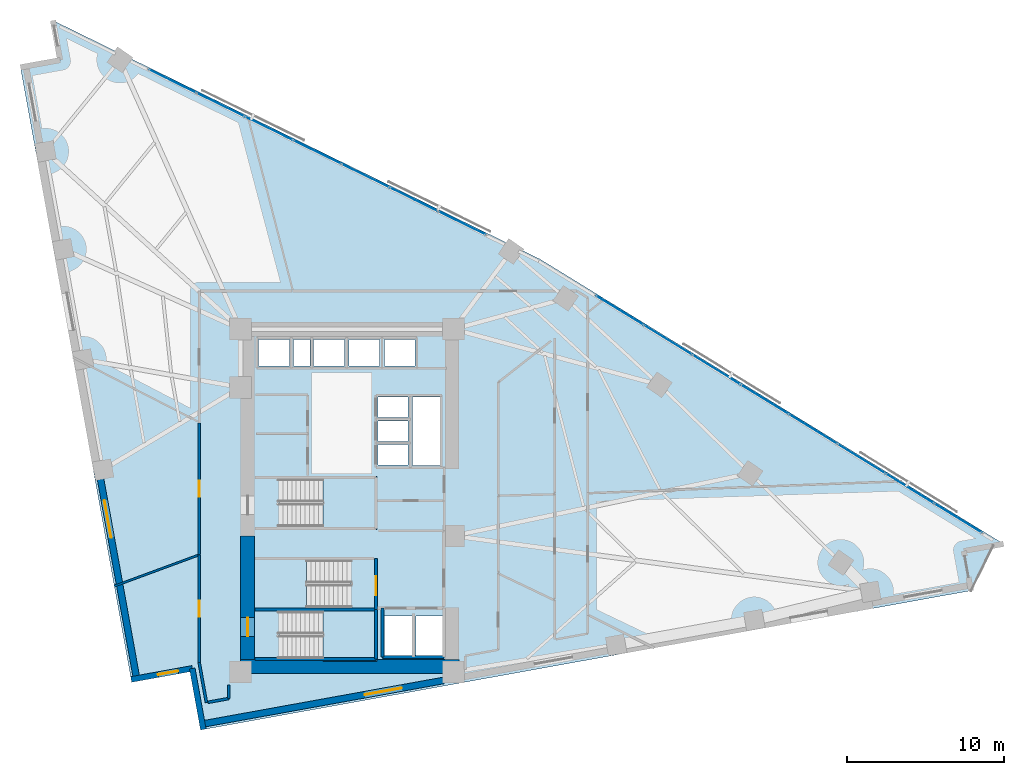
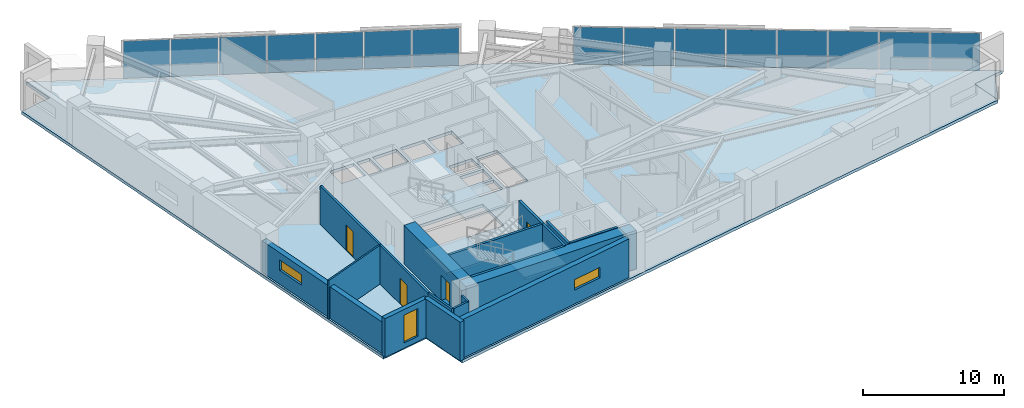
# One storey, part 12 of 19: 18 walls, 15 plates, 5 slabs, 4 doors, 3 windows, 7 openings, 5 elements without a shape of their own.
"""IFC4 building model written with IfcOpenShell, lengths in metres."""

from ifc_helpers import new_model, si_unit, direction, frame, frame_2d, origin, origin_2d, place, context, subcontext, project, spatial, polyline, rectangle, outline, extrude, material, layer, layer_set, type_object, element, fill, aggregate, save


model = new_model("IFC4")

# Units and contexts
model_context = context("Model", 3, precision=1e-05, world=origin(), true_north=direction((0.0, 1.0)))
body_context = subcontext(model_context, "Body", "Model", "MODEL_VIEW")
ifc_project = project(units=[si_unit("LENGTHUNIT", "METRE"), si_unit("AREAUNIT", "SQUARE_METRE"), si_unit("VOLUMEUNIT", "CUBIC_METRE"), si_unit("PLANEANGLEUNIT", "RADIAN"), si_unit("MASSUNIT", "GRAM", prefix="KILO")], contexts=[model_context])

# Site, building, storey
site_placement = place(None, origin())
site = spatial("IfcSite", under=ifc_project, at=site_placement, CompositionType="ELEMENT")
building_placement = place(site_placement, origin())
building = spatial("IfcBuilding", under=site, at=building_placement, Name="Narakoshi Arena Tower", CompositionType="ELEMENT")
storey_placement = place(building_placement, frame((0.0, 0.0, 113.699951171875)))
storey = spatial("IfcBuildingStorey", under=building, at=storey_placement, Name="L30", CompositionType="ELEMENT", Elevation=113.699951171875)

# Curtain wall, plates
ifc_material_1 = material(Name="Anodised bronze aluminium 6063-T6", Category="aluminium")
curtain_wall_type = type_object("IfcCurtainWallType", Name="CW-HYP-LOW", PredefinedType="NOTDEFINED", material=ifc_material_1)
curtain_wall_1_placement = place(storey_placement, origin())
curtain_wall_1 = element("IfcCurtainWall", 1, at=curtain_wall_1_placement, inside=storey, type_object=curtain_wall_type, Name="L30 Folded Hypotenuse Curtain Wall 1-1", PredefinedType="NOTDEFINED")
ifc_material_2 = material(Name="Bronze-tinted low-E laminated glass", Category="glass")
ifc_layer_1 = layer(ifc_material_2, 0.031982421875)
ifc_layer_set_1 = layer_set([ifc_layer_1], Name="Bronze-tinted low-E laminated glass")
plate_type = type_object("IfcPlateType", Name="PLT-GLZ-32", PredefinedType="CURTAIN_PANEL", material=ifc_layer_set_1)
plate_1_placement = place(storey_placement, frame((117.64013671875, 44.483642578125, 0.065185546875), z_axis=(0.0, 0.0, 1.0), x_axis=(-0.852113104237, 0.523357676535, 0.0)))
plate_1 = element("IfcPlate", 2, at=plate_1_placement, type_object=plate_type, Name="CW-01 panel 1.1", PredefinedType="CURTAIN_PANEL", context=body_context, shape_type="SweptSolid", body=[
    extrude(rectangle(XDim=3.498291015625, YDim=0.031982421875, at=origin_2d()), origin(), (0.0, 0.0, 1.0), 3.2099609375),
])
plate_2_placement = place(storey_placement, frame((114.5791015625, 46.36376953125, 0.065185546875), z_axis=(0.0, 0.0, 1.0), x_axis=(-0.852113104237, 0.523357676535, 0.0)))
plate_2 = element("IfcPlate", 3, at=plate_2_placement, type_object=plate_type, Name="CW-01 panel 2.1", PredefinedType="CURTAIN_PANEL", context=body_context, shape_type="SweptSolid", body=[
    extrude(rectangle(XDim=3.535888671875, YDim=0.031982421875, at=origin_2d()), origin(), (0.0, 0.0, 1.0), 3.2099609375),
])
plate_3_placement = place(storey_placement, frame((111.502197265625, 48.25341796875, 0.065185546875), z_axis=(0.0, 0.0, 1.0), x_axis=(-0.852113104237, 0.523357676535, 0.0)))
plate_3 = element("IfcPlate", 4, at=plate_3_placement, type_object=plate_type, Name="CW-01 panel 3.1", PredefinedType="CURTAIN_PANEL", context=body_context, shape_type="SweptSolid", body=[
    extrude(rectangle(XDim=3.535888671875, YDim=0.031982421875, at=origin_2d()), origin(), (0.0, 0.0, 1.0), 3.2099609375),
])
plate_4_placement = place(storey_placement, frame((108.42529296875, 50.143310546875, 0.065185546875), z_axis=(0.0, 0.0, 1.0), x_axis=(-0.852113104237, 0.523357676535, 0.0)))
plate_4 = element("IfcPlate", 5, at=plate_4_placement, type_object=plate_type, Name="CW-01 panel 4.1", PredefinedType="CURTAIN_PANEL", context=body_context, shape_type="SweptSolid", body=[
    extrude(rectangle(XDim=3.535888671875, YDim=0.031982421875, at=origin_2d()), origin(), (0.0, 0.0, 1.0), 3.2099609375),
])
plate_5_placement = place(storey_placement, frame((105.348388671875, 52.032958984375, 0.065185546875), z_axis=(0.0, 0.0, 1.0), x_axis=(-0.852113104237, 0.523357676535, 0.0)))
plate_5 = element("IfcPlate", 6, at=plate_5_placement, type_object=plate_type, Name="CW-01 panel 5.1", PredefinedType="CURTAIN_PANEL", context=body_context, shape_type="SweptSolid", body=[
    extrude(rectangle(XDim=3.535888671875, YDim=0.031982421875, at=origin_2d()), origin(), (0.0, 0.0, 1.0), 3.2099609375),
])
plate_6_placement = place(storey_placement, frame((102.271728515625, 53.9228515625, 0.065185546875), z_axis=(0.0, 0.0, 1.0), x_axis=(-0.852113104237, 0.523357676535, 0.0)))
plate_6 = element("IfcPlate", 7, at=plate_6_placement, type_object=plate_type, Name="CW-01 panel 6.1", PredefinedType="CURTAIN_PANEL", context=body_context, shape_type="SweptSolid", body=[
    extrude(rectangle(XDim=3.535888671875, YDim=0.031982421875, at=origin_2d()), origin(), (0.0, 0.0, 1.0), 3.2099609375),
])
plate_7_placement = place(storey_placement, frame((99.19482421875, 55.8125, 0.065185546875), z_axis=(0.0, 0.0, 1.0), x_axis=(-0.852113104237, 0.523357676535, 0.0)))
plate_7 = element("IfcPlate", 8, at=plate_7_placement, type_object=plate_type, Name="CW-01 panel 7.1", PredefinedType="CURTAIN_PANEL", context=body_context, shape_type="SweptSolid", body=[
    extrude(rectangle(XDim=3.535888671875, YDim=0.031982421875, at=origin_2d()), origin(), (0.0, 0.0, 1.0), 3.2099609375),
])
plate_8_placement = place(storey_placement, frame((96.1337890625, 57.692626953125, 0.065185546875), z_axis=(0.0, 0.0, 1.0), x_axis=(-0.852113104237, 0.523357676535, 0.0)))
plate_8 = element("IfcPlate", 9, at=plate_8_placement, type_object=plate_type, Name="CW-01 panel 8.1", PredefinedType="CURTAIN_PANEL", context=body_context, shape_type="SweptSolid", body=[
    extrude(rectangle(XDim=3.498291015625, YDim=0.031982421875, at=origin_2d()), origin(), (0.0, 0.0, 1.0), 3.2099609375),
])
aggregate(curtain_wall_1, [plate_1, plate_2, plate_3, plate_4, plate_5, plate_6, plate_7, plate_8])

curtain_wall_2_placement = place(storey_placement, origin())
curtain_wall_2 = element("IfcCurtainWall", 10, at=curtain_wall_2_placement, inside=storey, type_object=curtain_wall_type, Name="L30 Folded Hypotenuse Curtain Wall 2-1", PredefinedType="NOTDEFINED")
plate_9_placement = place(storey_placement, frame((86.0791015625, 63.259765625, 0.065185546875), z_axis=(0.0, 0.0, 1.0), x_axis=(-0.89799556291, 0.440004510198, 0.0)))
plate_9 = element("IfcPlate", 11, at=plate_9_placement, type_object=plate_type, Name="CW-01 panel 1.1", PredefinedType="CURTAIN_PANEL", context=body_context, shape_type="SweptSolid", body=[
    extrude(rectangle(XDim=3.309814453125, YDim=0.031982421875, at=origin_2d()), origin(), (0.0, 0.0, 1.0), 3.2099609375),
])
plate_10_placement = place(storey_placement, frame((83.022705078125, 64.75732421875, 0.065185546875), z_axis=(0.0, 0.0, 1.0), x_axis=(-0.89799556291, 0.440004510198, 0.0)))
plate_10 = element("IfcPlate", 12, at=plate_10_placement, type_object=plate_type, Name="CW-01 panel 2.1", PredefinedType="CURTAIN_PANEL", context=body_context, shape_type="SweptSolid", body=[
    extrude(rectangle(XDim=3.347412109375, YDim=0.031982421875, at=origin_2d()), origin(), (0.0, 0.0, 1.0), 3.2099609375),
])
plate_11_placement = place(storey_placement, frame((79.949462890625, 66.26318359375, 0.065185546875), z_axis=(0.0, 0.0, 1.0), x_axis=(-0.89799556291, 0.440004510198, 0.0)))
plate_11 = element("IfcPlate", 13, at=plate_11_placement, type_object=plate_type, Name="CW-01 panel 3.1", PredefinedType="CURTAIN_PANEL", context=body_context, shape_type="SweptSolid", body=[
    extrude(rectangle(XDim=3.347412109375, YDim=0.031982421875, at=origin_2d()), origin(), (0.0, 0.0, 1.0), 3.2099609375),
])
plate_12_placement = place(storey_placement, frame((76.8759765625, 67.76904296875, 0.065185546875), z_axis=(0.0, 0.0, 1.0), x_axis=(-0.89799556291, 0.440004510198, 0.0)))
plate_12 = element("IfcPlate", 14, at=plate_12_placement, type_object=plate_type, Name="CW-01 panel 4.1", PredefinedType="CURTAIN_PANEL", context=body_context, shape_type="SweptSolid", body=[
    extrude(rectangle(XDim=3.347412109375, YDim=0.031982421875, at=origin_2d()), origin(), (0.0, 0.0, 1.0), 3.2099609375),
])
plate_13_placement = place(storey_placement, frame((73.802734375, 69.27490234375, 0.065185546875), z_axis=(0.0, 0.0, 1.0), x_axis=(-0.89799556291, 0.440004510198, 0.0)))
plate_13 = element("IfcPlate", 15, at=plate_13_placement, type_object=plate_type, Name="CW-01 panel 5.1", PredefinedType="CURTAIN_PANEL", context=body_context, shape_type="SweptSolid", body=[
    extrude(rectangle(XDim=3.347412109375, YDim=0.031982421875, at=origin_2d()), origin(), (0.0, 0.0, 1.0), 3.2099609375),
])
plate_14_placement = place(storey_placement, frame((70.7294921875, 70.781005859375, 0.065185546875), z_axis=(0.0, 0.0, 1.0), x_axis=(-0.89799556291, 0.440004510198, 0.0)))
plate_14 = element("IfcPlate", 16, at=plate_14_placement, type_object=plate_type, Name="CW-01 panel 6.1", PredefinedType="CURTAIN_PANEL", context=body_context, shape_type="SweptSolid", body=[
    extrude(rectangle(XDim=3.347412109375, YDim=0.031982421875, at=origin_2d()), origin(), (0.0, 0.0, 1.0), 3.2099609375),
])
plate_15_placement = place(storey_placement, frame((67.673095703125, 72.278564453125, 0.065185546875), z_axis=(0.0, 0.0, 1.0), x_axis=(-0.89799556291, 0.440004510198, 0.0)))
plate_15 = element("IfcPlate", 17, at=plate_15_placement, type_object=plate_type, Name="CW-01 panel 7.1", PredefinedType="CURTAIN_PANEL", context=body_context, shape_type="SweptSolid", body=[
    extrude(rectangle(XDim=3.309814453125, YDim=0.031982421875, at=origin_2d()), origin(), (0.0, 0.0, 1.0), 3.2099609375),
])
aggregate(curtain_wall_2, [plate_9, plate_10, plate_11, plate_12, plate_13, plate_14, plate_15])

# Stair, slab
ifc_material_3 = material(Name="Concrete C45/55", Category="concrete")
stair_type = type_object("IfcStairType", Name="STR-CORE-360", PredefinedType="TWO_STRAIGHT_RUN_STAIR", material=ifc_material_3)
stair_1_placement = place(storey_placement, origin())
stair_1 = element("IfcStair", 18, at=stair_1_placement, inside=storey, type_object=stair_type, Name="L30 Core Escape Stair ST1", PredefinedType="TWO_STRAIGHT_RUN_STAIR")
ifc_layer_2 = layer(ifc_material_3, 0.18994140625)
ifc_layer_set_2 = layer_set([ifc_layer_2], Name="Concrete C45/55")
slab_type_1 = type_object("IfcSlabType", Name="SLB-LND-190", PredefinedType="LANDING", material=ifc_layer_set_2)
slab_1_placement = place(storey_placement, frame((0.0, 0.0, 1.610107421875)))
slab_1 = element("IfcSlab", 19, at=slab_1_placement, type_object=slab_type_1, Name="ST1 landing 1", PredefinedType="LANDING", context=body_context, shape_type="SweptSolid", body=[
    extrude(outline(polyline([(77.25, 35.3701171875), (80.679931640625, 35.3701171875), (80.679931640625, 38.72998046875), (77.25, 38.72998046875), (77.25, 35.3701171875)])), origin(), (0.0, 0.0, 1.0), 0.18994140625),
])
aggregate(stair_1, [slab_1])

stair_2_placement = place(storey_placement, origin())
stair_2 = element("IfcStair", 20, at=stair_2_placement, inside=storey, type_object=stair_type, Name="L30 Core Escape Stair ST2", PredefinedType="TWO_STRAIGHT_RUN_STAIR")
slab_2_placement = place(storey_placement, frame((0.0, 0.0, 1.610107421875)))
slab_2 = element("IfcSlab", 21, at=slab_2_placement, type_object=slab_type_1, Name="ST2 landing 1", PredefinedType="LANDING", context=body_context, shape_type="SweptSolid", body=[
    extrude(outline(polyline([(72.77001953125, 38.6201171875), (76.199951171875, 38.6201171875), (76.199951171875, 41.97998046875), (72.77001953125, 41.97998046875), (72.77001953125, 38.6201171875)])), origin(), (0.0, 0.0, 1.0), 0.18994140625),
])
aggregate(stair_2, [slab_2])

stair_3_placement = place(storey_placement, origin())
stair_3 = element("IfcStair", 22, at=stair_3_placement, inside=storey, type_object=stair_type, Name="L30 Core Escape Stair ST3", PredefinedType="TWO_STRAIGHT_RUN_STAIR")
slab_3_placement = place(storey_placement, frame((0.0, 0.0, 1.610107421875)))
slab_3 = element("IfcSlab", 23, at=slab_3_placement, type_object=slab_type_1, Name="ST3 landing 1", PredefinedType="LANDING", context=body_context, shape_type="SweptSolid", body=[
    extrude(outline(polyline([(77.25, 43.77001953125), (80.679931640625, 43.77001953125), (80.679931640625, 47.1298828125), (77.25, 47.1298828125), (77.25, 43.77001953125)])), origin(), (0.0, 0.0, 1.0), 0.18994140625),
])
aggregate(stair_3, [slab_3])

# Slabs
ifc_material_4 = material(Name="Concrete C50/60", Category="concrete")
ifc_layer_3 = layer(ifc_material_4, 0.260009765625)
ifc_layer_set_3 = layer_set([ifc_layer_3], Name="Concrete C50/60")
slab_type_2 = type_object("IfcSlabType", Name="SLB-SKY-260", PredefinedType="FLOOR", material=ifc_layer_set_3)
slab_4_placement = place(storey_placement, frame((0.0, 0.0, -0.260009765625)))
element("IfcSlab", 24, at=slab_4_placement, inside=storey, type_object=slab_type_2, Name="L30 Structural Floor Slab", PredefinedType="FLOOR", context=body_context, shape_type="SweptSolid", body=[
    extrude(outline(polyline([(69.626953125, 31.03271484375), (118.466796875, 39.8642578125), (118.01025390625, 42.3896484375), (120.535400390625, 42.84619140625), (91.034912109375, 60.965087890625), (60.066162109375, 76.139404296875), (60.522705078125, 73.614013671875), (57.99755859375, 73.157470703125), (65.039306640625, 34.215087890625), (68.92431640625, 34.91748046875), (69.626953125, 31.03271484375)]), holes=[polyline([(80.5, 35.550048828125), (74.47998046875, 35.550048828125), (74.47998046875, 38.550048828125), (80.5, 38.550048828125), (80.5, 35.550048828125)]), polyline([(82.89990234375, 35.75), (81.14990234375, 35.75), (81.14990234375, 38.25), (82.89990234375, 38.25), (82.89990234375, 35.75)]), polyline([(83.14990234375, 35.75), (83.14990234375, 38.25), (84.89990234375, 38.25), (84.89990234375, 35.75), (83.14990234375, 35.75)]), polyline([(72.949951171875, 38.800048828125), (72.949951171875, 41.800048828125), (78.969970703125, 41.800048828125), (78.969970703125, 38.800048828125), (72.949951171875, 38.800048828125)]), polyline([(74.47998046875, 43.949951171875), (74.47998046875, 46.949951171875), (80.5, 46.949951171875), (80.5, 43.949951171875), (74.47998046875, 43.949951171875)]), polyline([(82.949951171875, 47.840087890625), (82.949951171875, 52.199951171875), (84.699951171875, 52.199951171875), (84.699951171875, 47.840087890625), (82.949951171875, 47.840087890625)]), polyline([(80.75, 47.85009765625), (80.75, 49.14990234375), (82.64990234375, 49.14990234375), (82.64990234375, 47.85009765625), (80.75, 47.85009765625)]), polyline([(80.75, 49.3701171875), (80.75, 50.669921875), (82.64990234375, 50.669921875), (82.64990234375, 49.3701171875), (80.75, 49.3701171875)]), polyline([(80.75, 50.889892578125), (80.75, 52.18994140625), (82.64990234375, 52.18994140625), (82.64990234375, 50.889892578125), (80.75, 50.889892578125)]), polyline([(73.14990234375, 54.14990234375), (73.14990234375, 55.85009765625), (75.10009765625, 55.85009765625), (75.10009765625, 54.14990234375), (73.14990234375, 54.14990234375)]), polyline([(75.35009765625, 54.14990234375), (75.35009765625, 55.85009765625), (76.39990234375, 55.85009765625), (76.39990234375, 54.14990234375), (75.35009765625, 54.14990234375)]), polyline([(76.64990234375, 54.14990234375), (76.64990234375, 55.85009765625), (78.60009765625, 55.85009765625), (78.60009765625, 54.14990234375), (76.64990234375, 54.14990234375)]), polyline([(78.89990234375, 54.14990234375), (78.89990234375, 55.85009765625), (80.85009765625, 55.85009765625), (80.85009765625, 54.14990234375), (78.89990234375, 54.14990234375)]), polyline([(81.14990234375, 54.14990234375), (81.14990234375, 55.85009765625), (83.10009765625, 55.85009765625), (83.10009765625, 54.14990234375), (81.14990234375, 54.14990234375)])]), origin(), (0.0, 0.0, 1.0), 0.260009765625),
])
ifc_layer_4 = layer(ifc_material_3, 0.239990234375)
ifc_layer_set_4 = layer_set([ifc_layer_4], Name="Concrete C45/55")
slab_type_3 = type_object("IfcSlabType", Name="SLB-TERR-240", PredefinedType="ROOF", material=ifc_layer_set_4)
slab_5_placement = place(storey_placement, frame((0.0, 0.0, -0.239990234375)))
element("IfcSlab", 25, at=slab_5_placement, inside=storey, type_object=slab_type_3, Name="L30 Corner Notch Loggia Balcony Slab", PredefinedType="ROOF", context=body_context, shape_type="SweptSolid", body=[
    extrude(outline(polyline([(119.8779296875, 42.72509765625), (118.012939453125, 42.387939453125), (118.468017578125, 39.866943359375), (119.8779296875, 42.72509765625)])), origin(), (0.0, 0.0, 1.0), 0.239990234375),
])

# Wall, opening, door
ifc_material_5 = material(Name="Concrete C60/75", Category="concrete")
ifc_layer_5 = layer(ifc_material_5, 0.89990234375)
ifc_layer_set_5 = layer_set([ifc_layer_5], Name="Concrete C60/75")
wall_type_1 = type_object("IfcWallType", Name="WL-CORE-900", PredefinedType="SHEAR", material=ifc_layer_set_5)
wall_1_placement = place(storey_placement, frame((72.449951171875, 35.5, -0.260009765625), z_axis=(0.0, 0.0, 1.0), x_axis=(0.0, 1.0, 0.0)))
wall_1 = element("IfcWall", 26, at=wall_1_placement, inside=storey, type_object=wall_type_1, Name="L30 Central Core Shear Wall CW-APX-W", PredefinedType="SHEAR", context=body_context, shape_type="SweptSolid", body=[
    extrude(rectangle(XDim=7.85009765625, YDim=0.89990234375, at=frame_2d((3.925048828125, 0.0))), origin(), (0.0, 0.0, 1.0), 3.60009765625),
])
opening_1_placement = place(wall_1_placement, frame((1.449951171875, 0.0, 0.260009765625)))
opening_1 = element("IfcOpeningElement", 27, at=opening_1_placement, cuts=wall_1, Name="Opening D-03", PredefinedType="OPENING", context=body_context, shape_type="SweptSolid", body=[
    extrude(rectangle(XDim=1.199951171875, YDim=2.199951171875, at=frame_2d((0.60009765625, 1.10009765625))), frame((0.0, 0.4599609375, 0.0), z_axis=(0.0, -1.0, 0.0), x_axis=(1.0, 0.0, 0.0)), (0.0, 0.0, 1.0), 0.919921875),
])
ifc_material_6 = material(Name="Painted galvanized steel", Category="steel")
door_type_1 = type_object("IfcDoorType", Name="DR-STR-1200", OperationType="NOTDEFINED", PredefinedType="USERDEFINED", material=ifc_material_6)
door_1_placement = place(opening_1_placement, frame((1.199951171875, 0.0, 0.0), z_axis=(0.0, 0.0, 1.0), x_axis=(-1.0, 0.0, 0.0)))
door_1 = element("IfcDoor", 28, at=door_1_placement, inside=storey, type_object=door_type_1, Name="DR-L30-002", ObjectType="EXITDOOR", OperationType="SINGLE_SWING_LEFT", OverallHeight=2.199951171875, OverallWidth=1.199951171875, PredefinedType="USERDEFINED", context=body_context, shape_type="SweptSolid", body=[
    extrude(rectangle(XDim=1.199951171875, YDim=2.199951171875, at=frame_2d((0.60009765625, 1.10009765625))), frame((0.0, 0.02490234375, 0.0), z_axis=(0.0, -1.0, 0.0), x_axis=(1.0, 0.0, 0.0)), (0.0, 0.0, 1.0), 0.050048828125),
])
fill(opening_1, door_1)

# Wall
wall_2_placement = place(storey_placement, frame((72.0, 35.050048828125, -0.260009765625), z_axis=(0.0, 0.0, 1.0), x_axis=(1.0, 0.0, 0.0)))
element("IfcWall", 29, at=wall_2_placement, inside=storey, type_object=wall_type_1, Name="L30 Central Core Shear Wall CW-APX-S", PredefinedType="SHEAR", context=body_context, shape_type="SweptSolid", body=[
    extrude(rectangle(XDim=13.89990234375, YDim=0.89990234375, at=frame_2d((6.949951171875, 0.0))), origin(), (0.0, 0.0, 1.0), 3.60009765625),
])

# Wall, opening, door
ifc_material_7 = material(Name="Gypsum plasterboard fire-rated partition")
ifc_layer_6 = layer(ifc_material_7, 0.1650390625)
ifc_layer_set_6 = layer_set([ifc_layer_6], Name="Gypsum plasterboard fire-rated partition")
wall_type_2 = type_object("IfcWallType", Name="WL-CORR-165", PredefinedType="PARTITIONING", material=ifc_layer_set_6)
wall_3_placement = place(storey_placement, frame((69.364990234375, 42.146484375, 0.0), z_axis=(0.0, 0.0, 1.0), x_axis=(0.0, -1.0, 0.0)))
wall_3 = element("IfcWall", 30, at=wall_3_placement, inside=storey, type_object=wall_type_2, Name="L30 Corridor Partition 01-1", PredefinedType="PARTITIONING", context=body_context, shape_type="SweptSolid", body=[
    extrude(rectangle(XDim=6.85546875, YDim=0.1650390625, at=frame_2d((3.427734375, 0.0))), origin(), (0.0, 0.0, 1.0), 3.340087890625),
])
opening_2_placement = place(wall_3_placement, frame((2.927734375, 0.0, 0.0)))
opening_2 = element("IfcOpeningElement", 31, at=opening_2_placement, cuts=wall_3, Name="Opening D-06", PredefinedType="OPENING", context=body_context, shape_type="SweptSolid", body=[
    extrude(rectangle(XDim=1.0, YDim=2.199951171875, at=frame_2d((0.5, 1.10009765625))), frame((0.0, 0.092529296875, 0.0), z_axis=(0.0, -1.0, 0.0), x_axis=(1.0, 0.0, 0.0)), (0.0, 0.0, 1.0), 0.18505859375),
])
ifc_material_8 = material(Name="Stained oak solid-core timber", Category="wood")
door_type_2 = type_object("IfcDoorType", Name="DR-OFF-1000", OperationType="NOTDEFINED", PredefinedType="DOOR", material=ifc_material_8)
door_2_placement = place(opening_2_placement, frame((1.0, 0.0, 0.0), z_axis=(0.0, 0.0, 1.0), x_axis=(-1.0, 0.0, 0.0)))
door_2 = element("IfcDoor", 32, at=door_2_placement, inside=storey, type_object=door_type_2, Name="DR-L30-015", OperationType="SINGLE_SWING_RIGHT", OverallHeight=2.199951171875, OverallWidth=1.0, PredefinedType="DOOR", context=body_context, shape_type="SweptSolid", body=[
    extrude(rectangle(XDim=1.0, YDim=2.199951171875, at=frame_2d((0.5, 1.10009765625))), frame((0.0, 0.02490234375, 0.0), z_axis=(0.0, -1.0, 0.0), x_axis=(1.0, 0.0, 0.0)), (0.0, 0.0, 1.0), 0.050048828125),
])
fill(opening_2, door_2)

# Walls
wall_4_placement = place(storey_placement, frame((69.364990234375, 35.291015625, 0.0), z_axis=(0.0, 0.0, 1.0), x_axis=(0.177880532226, -0.984052090214, 0.0)))
element("IfcWall", 33, at=wall_4_placement, inside=storey, type_object=wall_type_2, Name="L30 Corridor Partition 01-2", PredefinedType="PARTITIONING", context=body_context, shape_type="SweptSolid", body=[
    extrude(rectangle(XDim=2.587158203125, YDim=0.1650390625, at=frame_2d((1.29345703125, 0.0))), origin(), (0.0, 0.0, 1.0), 3.340087890625),
])
wall_5_placement = place(storey_placement, frame((69.918212890625, 32.761962890625, 0.0), z_axis=(0.0, 0.0, 1.0), x_axis=(0.984022520329, 0.17804403805, 0.0)))
element("IfcWall", 34, at=wall_5_placement, inside=storey, type_object=wall_type_2, Name="L30 Corridor Partition 01-3", PredefinedType="PARTITIONING", context=body_context, shape_type="SweptSolid", body=[
    extrude(rectangle(XDim=1.353515625, YDim=0.1650390625, at=frame_2d((0.6767578125, 0.0))), origin(), (0.0, 0.0, 1.0), 3.340087890625),
])
wall_6_placement = place(storey_placement, frame((71.25, 33.0029296875, 0.0), z_axis=(0.0, 0.0, 1.0), x_axis=(0.0, 1.0, 0.0)))
element("IfcWall", 35, at=wall_6_placement, inside=storey, type_object=wall_type_2, Name="L30 Corridor Partition 01-4", PredefinedType="PARTITIONING", context=body_context, shape_type="SweptSolid", body=[
    extrude(rectangle(XDim=0.84716796875, YDim=0.1650390625, at=frame_2d((0.423583984375, 0.0))), origin(), (0.0, 0.0, 1.0), 3.340087890625),
])

# Wall, opening, door
wall_7_placement = place(storey_placement, frame((69.364990234375, 50.517578125, 0.0), z_axis=(0.0, 0.0, 1.0), x_axis=(0.0, -1.0, 0.0)))
wall_7 = element("IfcWall", 36, at=wall_7_placement, inside=storey, type_object=wall_type_2, Name="L30 Corridor Partition 09-1", PredefinedType="PARTITIONING", context=body_context, shape_type="SweptSolid", body=[
    extrude(rectangle(XDim=8.345458984375, YDim=0.1650390625, at=frame_2d((4.1728515625, 0.0))), origin(), (0.0, 0.0, 1.0), 3.340087890625),
])
opening_3_placement = place(wall_7_placement, frame((3.672607421875, 0.0, 0.0)))
opening_3 = element("IfcOpeningElement", 37, at=opening_3_placement, cuts=wall_7, Name="Opening D-06", PredefinedType="OPENING", context=body_context, shape_type="SweptSolid", body=[
    extrude(rectangle(XDim=1.0, YDim=2.199951171875, at=frame_2d((0.5, 1.10009765625))), frame((0.0, 0.092529296875, 0.0), z_axis=(0.0, -1.0, 0.0), x_axis=(1.0, 0.0, 0.0)), (0.0, 0.0, 1.0), 0.18505859375),
])
door_3_placement = place(opening_3_placement, frame((1.0, 0.0, 0.0), z_axis=(0.0, 0.0, 1.0), x_axis=(-1.0, 0.0, 0.0)))
door_3 = element("IfcDoor", 38, at=door_3_placement, inside=storey, type_object=door_type_2, Name="DR-L30-023", OperationType="SINGLE_SWING_RIGHT", OverallHeight=2.199951171875, OverallWidth=1.0, PredefinedType="DOOR", context=body_context, shape_type="SweptSolid", body=[
    extrude(rectangle(XDim=1.0, YDim=2.199951171875, at=frame_2d((0.5, 1.10009765625))), frame((0.0, 0.02490234375, 0.0), z_axis=(0.0, -1.0, 0.0), x_axis=(1.0, 0.0, 0.0)), (0.0, 0.0, 1.0), 0.050048828125),
])
fill(opening_3, door_3)

# Wall
ifc_layer_7 = layer(ifc_material_7, 0.125)
ifc_layer_set_7 = layer_set([ifc_layer_7], Name="Gypsum plasterboard fire-rated partition")
wall_type_3 = type_object("IfcWallType", Name="WL-PART-125", PredefinedType="PARTITIONING", material=ifc_layer_set_7)
wall_8_placement = place(storey_placement, frame((63.96533203125, 40.154541015625, 0.0), z_axis=(0.0, 0.0, 1.0), x_axis=(0.9382000314, 0.346093486042, 0.0)))
element("IfcWall", 39, at=wall_8_placement, inside=storey, type_object=wall_type_3, Name="L30 Inter-Room Partition 01-09", PredefinedType="PARTITIONING", context=body_context, shape_type="SweptSolid", body=[
    extrude(rectangle(XDim=5.654541015625, YDim=0.125, at=frame_2d((2.8271484375, 0.0))), origin(), (0.0, 0.0, 1.0), 3.340087890625),
])

# Wall, opening, window
ifc_material_9 = material(Name="Precast concrete C45/55", Category="concrete")
ifc_layer_8 = layer(ifc_material_9, 0.419921875)
ifc_layer_set_8 = layer_set([ifc_layer_8], Name="Precast concrete C45/55")
wall_type_4 = type_object("IfcWallType", Name="WL-POD-420", PredefinedType="SOLIDWALL", material=ifc_layer_set_8)
wall_9_placement = place(storey_placement, frame((69.564697265625, 31.376953125, 0.0), z_axis=(0.0, 0.0, 1.0), x_axis=(0.98404091451, 0.177942346197, 0.0)))
wall_9 = element("IfcWall", 40, at=wall_9_placement, inside=storey, type_object=wall_type_4, Name="L30 Architectural Concrete Facade Wall LEGA-1", PredefinedType="SOLIDWALL", context=body_context, shape_type="SweptSolid", body=[
    extrude(rectangle(XDim=15.58349609375, YDim=0.419921875, at=frame_2d((7.791748046875, 0.0))), origin(), (0.0, 0.0, 1.0), 3.340087890625),
])
opening_4_placement = place(wall_9_placement, frame((10.5, 0.0, 1.199951171875)))
opening_4 = element("IfcOpeningElement", 41, at=opening_4_placement, cuts=wall_9, Name="Opening WN-01", PredefinedType="OPENING", context=body_context, shape_type="SweptSolid", body=[
    extrude(rectangle(XDim=2.39990234375, YDim=0.89990234375, at=frame_2d((1.199951171875, 0.449951171875))), frame((0.0, 0.219970703125, 0.0), z_axis=(0.0, -1.0, 0.0), x_axis=(1.0, 0.0, 0.0)), (0.0, 0.0, 1.0), 0.43994140625),
])
window_type_1 = type_object("IfcWindowType", Name="WIN-SLT-24x09", PartitioningType="SINGLE_PANEL", PredefinedType="WINDOW", material=ifc_material_2)
window_1_placement = place(opening_4_placement, origin())
window_1 = element("IfcWindow", 42, at=window_1_placement, inside=storey, type_object=window_type_1, Name="L30 LEGA1 Horizontal Slot Window 1", OverallHeight=0.89990234375, OverallWidth=2.39990234375, PartitioningType="SINGLE_PANEL", PredefinedType="WINDOW", context=body_context, shape_type="SweptSolid", body=[
    extrude(rectangle(XDim=2.39990234375, YDim=0.89990234375, at=frame_2d((1.199951171875, 0.449951171875))), frame((0.0, 0.030029296875, 0.0), z_axis=(0.0, -1.0, 0.0), x_axis=(1.0, 0.0, 0.0)), (0.0, 0.0, 1.0), 0.06005859375),
])
fill(opening_4, window_1)

wall_10_placement = place(storey_placement, frame((62.989501953125, 47.517578125, 0.0), z_axis=(0.0, 0.0, 1.0), x_axis=(0.177948058674, -0.984039881516, 0.0)))
wall_10 = element("IfcWall", 43, at=wall_10_placement, inside=storey, type_object=wall_type_4, Name="L30 Architectural Concrete Facade Wall LEGB-3", PredefinedType="SOLIDWALL", context=body_context, shape_type="SweptSolid", body=[
    extrude(rectangle(XDim=13.455078125, YDim=0.419921875, at=frame_2d((6.7275390625, 0.0))), origin(), (0.0, 0.0, 1.0), 2.72509765625),
])
opening_5_placement = place(wall_10_placement, frame((1.945068359375, 0.0, 1.199951171875)))
opening_5 = element("IfcOpeningElement", 44, at=opening_5_placement, cuts=wall_10, Name="Opening WN-01", PredefinedType="OPENING", context=body_context, shape_type="SweptSolid", body=[
    extrude(rectangle(XDim=2.39990234375, YDim=0.89990234375, at=frame_2d((1.199951171875, 0.449951171875))), frame((0.0, 0.219970703125, 0.0), z_axis=(0.0, -1.0, 0.0), x_axis=(1.0, 0.0, 0.0)), (0.0, 0.0, 1.0), 0.43994140625),
])
window_2_placement = place(opening_5_placement, origin())
window_2 = element("IfcWindow", 45, at=window_2_placement, inside=storey, type_object=window_type_1, Name="L30 LEGB3 Horizontal Slot Window 1", OverallHeight=0.89990234375, OverallWidth=2.39990234375, PartitioningType="SINGLE_PANEL", PredefinedType="WINDOW", context=body_context, shape_type="SweptSolid", body=[
    extrude(rectangle(XDim=2.39990234375, YDim=0.89990234375, at=frame_2d((1.199951171875, 0.449951171875))), frame((0.0, 0.030029296875, 0.0), z_axis=(0.0, -1.0, 0.0), x_axis=(1.0, 0.0, 0.0)), (0.0, 0.0, 1.0), 0.06005859375),
])
fill(opening_5, window_2)

wall_11_placement = place(storey_placement, frame((65.039306640625, 34.215087890625, 0.0), z_axis=(0.0, 0.0, 1.0), x_axis=(0.984046535247, 0.177911260096, 0.0)))
wall_11 = element("IfcWall", 46, at=wall_11_placement, inside=storey, type_object=wall_type_4, Name="L30 Re-Entrant Corner Notch Wall NTA-1", PredefinedType="SOLIDWALL", context=body_context, shape_type="SweptSolid", body=[
    extrude(rectangle(XDim=3.947998046875, YDim=0.360107421875, at=frame_2d((1.97412109375, 0.0))), origin(), (0.0, 0.0, 1.0), 3.340087890625),
])
opening_6_placement = place(wall_11_placement, frame((1.73388671875, 0.0, 0.449951171875)))
opening_6 = element("IfcOpeningElement", 47, at=opening_6_placement, cuts=wall_11, Name="Opening WN-06", PredefinedType="OPENING", context=body_context, shape_type="SweptSolid", body=[
    extrude(rectangle(XDim=1.300048828125, YDim=2.39990234375, at=frame_2d((0.64990234375, 1.199951171875))), frame((0.0, 0.18994140625, 0.0), z_axis=(0.0, -1.0, 0.0), x_axis=(1.0, 0.0, 0.0)), (0.0, 0.0, 1.0), 0.380126953125),
])
window_type_2 = type_object("IfcWindowType", Name="WIN-NTC-16x24", PartitioningType="SINGLE_PANEL", PredefinedType="WINDOW", material=ifc_material_2)
window_3_placement = place(opening_6_placement, origin())
window_3 = element("IfcWindow", 48, at=window_3_placement, inside=storey, type_object=window_type_2, Name="L30 Corner Notch Window NTA", OverallHeight=2.39990234375, OverallWidth=1.300048828125, PartitioningType="SINGLE_PANEL", PredefinedType="WINDOW", context=body_context, shape_type="SweptSolid", body=[
    extrude(rectangle(XDim=1.300048828125, YDim=2.39990234375, at=frame_2d((0.64990234375, 1.199951171875))), frame((0.0, 0.030029296875, 0.0), z_axis=(0.0, -1.0, 0.0), x_axis=(1.0, 0.0, 0.0)), (0.0, 0.0, 1.0), 0.06005859375),
])
fill(opening_6, window_3)

# Walls
wall_12_placement = place(storey_placement, frame((68.92431640625, 34.91748046875, 0.0), z_axis=(0.0, 0.0, 1.0), x_axis=(0.177981971326, -0.984033748346, 0.0)))
element("IfcWall", 49, at=wall_12_placement, inside=storey, type_object=wall_type_4, Name="L30 Re-Entrant Corner Notch Wall NTA-2", PredefinedType="SOLIDWALL", context=body_context, shape_type="SweptSolid", body=[
    extrude(rectangle(XDim=3.94775390625, YDim=0.360107421875, at=frame_2d((1.973876953125, 0.0))), origin(), (0.0, 0.0, 1.0), 3.340087890625),
])
ifc_layer_9 = layer(ifc_material_4, 0.35009765625)
ifc_layer_set_9 = layer_set([ifc_layer_9], Name="Concrete C50/60")
wall_type_5 = type_object("IfcWallType", Name="WL-SHAFT-350", PredefinedType="SOLIDWALL", material=ifc_layer_set_9)
for number, where, z_axis, x_axis, name in (
    (50, (72.919921875, 35.52001953125, -0.260009765625), (0.0, 0.0, 1.0), (1.0, 0.0, 0.0), "L30 Core Wall ST1-S"),
    (51, (72.919921875, 38.675048828125, -0.260009765625), (0.0, 0.0, 1.0), (1.0, 0.0, 0.0), "L30 Core Wall ST12-DIV"),
):
    element("IfcWall", number, at=place(storey_placement, frame(where, z_axis=z_axis, x_axis=x_axis)), inside=storey, type_object=wall_type_5, Name=name, PredefinedType="SOLIDWALL", context=body_context, shape_type="SweptSolid", body=[
        extrude(rectangle(XDim=7.7001953125, YDim=0.199951171875, at=frame_2d((3.85009765625, 0.0))), origin(), (0.0, 0.0, 1.0), 3.60009765625),
    ])
wall_13_placement = place(storey_placement, frame((80.6201171875, 35.52001953125, -0.260009765625), z_axis=(0.0, 0.0, 1.0), x_axis=(0.0, 1.0, 0.0)))
element("IfcWall", 52, at=wall_13_placement, inside=storey, type_object=wall_type_5, Name="L30 Core Wall ST1-E", PredefinedType="SOLIDWALL", context=body_context, shape_type="SweptSolid", body=[
    extrude(rectangle(XDim=3.155029296875, YDim=0.199951171875, at=frame_2d((1.57763671875, 0.0))), origin(), (0.0, 0.0, 1.0), 3.60009765625),
])

# Wall, opening, door
wall_14_placement = place(storey_placement, frame((80.6201171875, 38.675048828125, -0.260009765625), z_axis=(0.0, 0.0, 1.0), x_axis=(0.0, 1.0, 0.0)))
wall_14 = element("IfcWall", 53, at=wall_14_placement, inside=storey, type_object=wall_type_5, Name="L30 Core Wall ST2-E", PredefinedType="SOLIDWALL", context=body_context, shape_type="SweptSolid", body=[
    extrude(rectangle(XDim=3.244873046875, YDim=0.199951171875, at=frame_2d((1.62255859375, 0.0))), origin(), (0.0, 0.0, 1.0), 3.60009765625),
])
opening_7_placement = place(wall_14_placement, frame((0.89990234375, 0.0, 0.260009765625)))
opening_7 = element("IfcOpeningElement", 54, at=opening_7_placement, cuts=wall_14, Name="Opening D-03", PredefinedType="OPENING", context=body_context, shape_type="SweptSolid", body=[
    extrude(rectangle(XDim=1.199951171875, YDim=2.199951171875, at=frame_2d((0.60009765625, 1.10009765625))), frame((0.0, 0.10986328125, 0.0), z_axis=(0.0, -1.0, 0.0), x_axis=(1.0, 0.0, 0.0)), (0.0, 0.0, 1.0), 0.219970703125),
])
door_4_placement = place(opening_7_placement, origin())
door_4 = element("IfcDoor", 55, at=door_4_placement, inside=storey, type_object=door_type_1, Name="DR-L30-003", ObjectType="EXITDOOR", OperationType="SINGLE_SWING_RIGHT", OverallHeight=2.199951171875, OverallWidth=1.199951171875, PredefinedType="USERDEFINED", context=body_context, shape_type="SweptSolid", body=[
    extrude(rectangle(XDim=1.199951171875, YDim=2.199951171875, at=frame_2d((0.60009765625, 1.10009765625))), frame((0.0, 0.02490234375, 0.0), z_axis=(0.0, -1.0, 0.0), x_axis=(1.0, 0.0, 0.0)), (0.0, 0.0, 1.0), 0.050048828125),
])
fill(opening_7, door_4)

# Walls
wall_15_placement = place(storey_placement, frame((81.02001953125, 35.64990234375, 0.0), z_axis=(0.0, 0.0, 1.0), x_axis=(0.0, 1.0, 0.0)))
element("IfcWall", 56, at=wall_15_placement, inside=storey, type_object=wall_type_5, Name="L30 Core Wall FF-W", PredefinedType="SOLIDWALL", context=body_context, shape_type="SweptSolid", body=[
    extrude(rectangle(XDim=3.10009765625, YDim=0.179931640625, at=frame_2d((1.550048828125, 0.0))), origin(), (0.0, 0.0, 1.0), 3.340087890625),
])
wall_16_placement = place(storey_placement, frame((81.02001953125, 35.64990234375, 0.0), z_axis=(0.0, 0.0, 1.0), x_axis=(1.0, 0.0, 0.0)))
element("IfcWall", 57, at=wall_16_placement, inside=storey, type_object=wall_type_5, Name="L30 Core Wall FF-S", PredefinedType="SOLIDWALL", context=body_context, shape_type="SweptSolid", body=[
    extrude(rectangle(XDim=3.929931640625, YDim=0.179931640625, at=frame_2d((1.96484375, 0.0))), origin(), (0.0, 0.0, 1.0), 3.340087890625),
])

save(model, "model.ifc")
